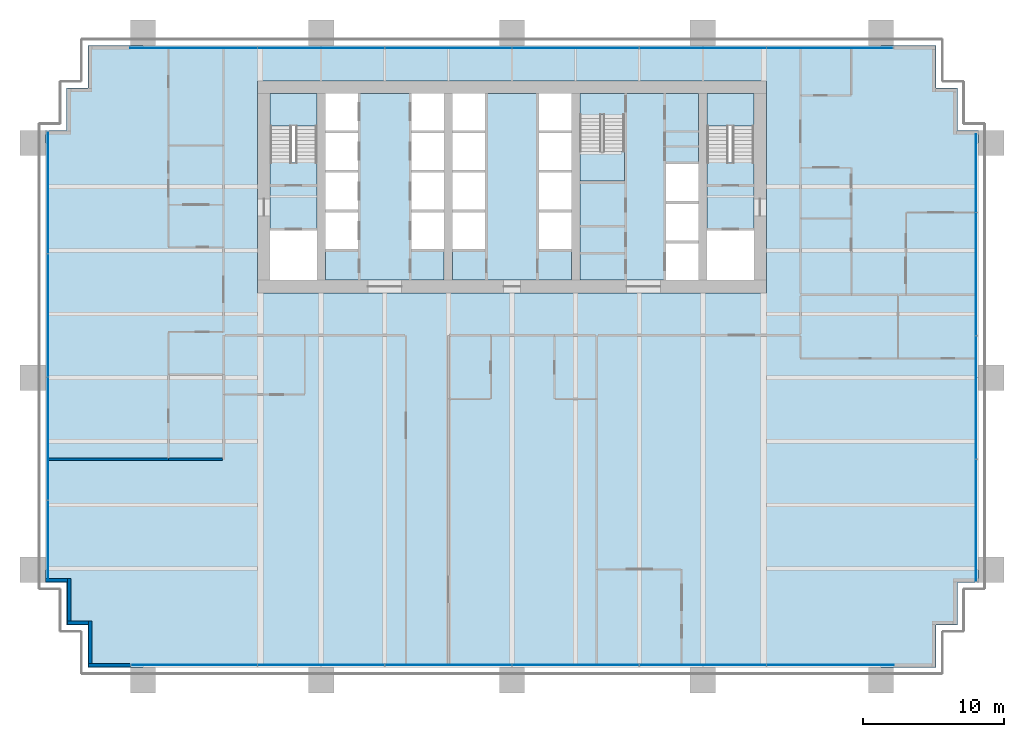
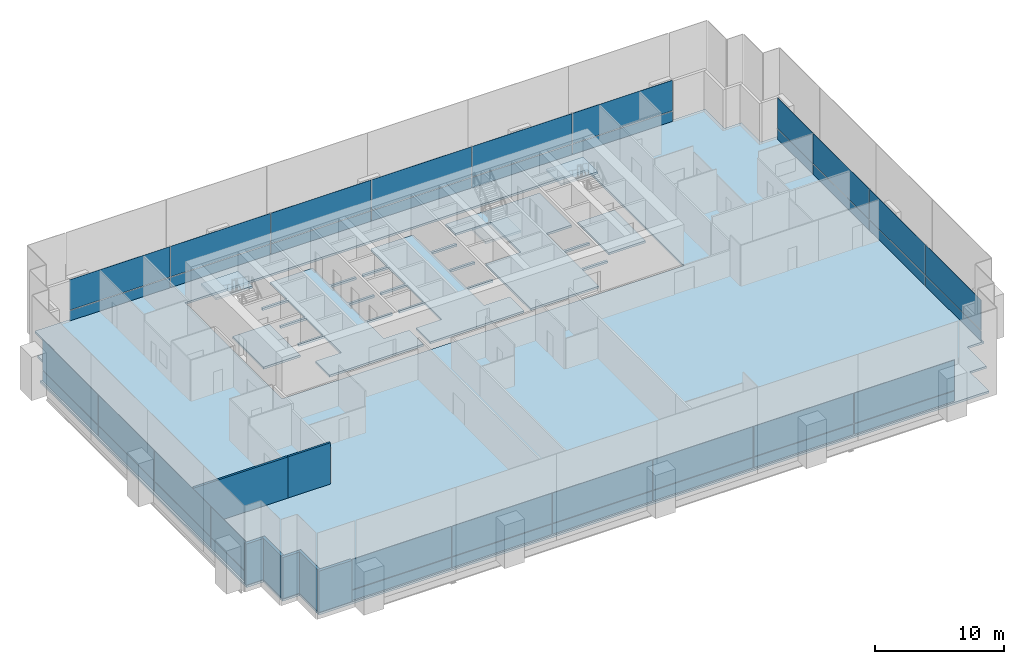
# One storey, part 10 of 17: 40 plates, 9 slabs, 7 walls, 7 elements without a shape of their own.
"""IFC4 building model written with IfcOpenShell, lengths in metres."""

from ifc_helpers import new_model, si_unit, direction, frame, frame_2d, origin, origin_2d, place, context, subcontext, project, spatial, polyline, rectangle, outline, extrude, material, layer, layer_set, type_object, element, aggregate, save


model = new_model("IFC4")

# Units and contexts
model_context = context("Model", 3, precision=1e-05, world=origin(), true_north=direction((0.0, 1.0)))
body_context = subcontext(model_context, "Body", "Model", "MODEL_VIEW")
ifc_project = project(units=[si_unit("LENGTHUNIT", "METRE"), si_unit("AREAUNIT", "SQUARE_METRE"), si_unit("VOLUMEUNIT", "CUBIC_METRE"), si_unit("PLANEANGLEUNIT", "RADIAN"), si_unit("MASSUNIT", "GRAM", prefix="KILO")], contexts=[model_context])

# Site, building, storey
site_placement = place(None, origin())
site = spatial("IfcSite", under=ifc_project, at=site_placement, CompositionType="ELEMENT")
building_placement = place(site_placement, origin())
building = spatial("IfcBuilding", under=site, at=building_placement, Name="Rattan Terrace Tower", CompositionType="ELEMENT")
storey_placement = place(building_placement, frame((0.0, 0.0, 44.699951171875)))
storey = spatial("IfcBuildingStorey", under=building, at=storey_placement, Name="L09", CompositionType="ELEMENT", Elevation=44.699951171875)

# Stair, slab
ifc_material_1 = material(Name="Concrete C40/50", Category="concrete")
stair_type = type_object("IfcStairType", Name="Core exit stair 1500", PredefinedType="HALF_TURN_STAIR", material=ifc_material_1)
stair_1_placement = place(storey_placement, origin())
stair_1 = element("IfcStair", 1, at=stair_1_placement, inside=storey, type_object=stair_type, Name="L09 exit stair 1", PredefinedType="HALF_TURN_STAIR")
ifc_material_2 = material(Name="Concrete C40/50", Category="concrete")
ifc_layer_1 = layer(ifc_material_2, 0.199951171875)
ifc_layer_set_1 = layer_set([ifc_layer_1], Name="Core exit stair landing")
slab_type_1 = type_object("IfcSlabType", Name="Core exit stair landing", PredefinedType="LANDING", material=ifc_layer_set_1)
slab_1_placement = place(storey_placement, frame((0.0, 0.0, 1.85009765625)))
slab_1 = element("IfcSlab", 2, at=slab_1_placement, type_object=slab_type_1, Name="S1 landing 1", PredefinedType="LANDING", context=body_context, shape_type="SweptSolid", body=[
    extrude(outline(polyline([(-13.800048828125, 4.300048828125), (-13.800048828125, 6.60009765625), (-17.10009765625, 6.60009765625), (-17.10009765625, 4.300048828125), (-13.800048828125, 4.300048828125)])), origin(), (0.0, 0.0, 1.0), 0.199951171875),
])
aggregate(stair_1, [slab_1])

stair_2_placement = place(storey_placement, origin())
stair_2 = element("IfcStair", 3, at=stair_2_placement, inside=storey, type_object=stair_type, Name="L09 exit stair 2", PredefinedType="HALF_TURN_STAIR")
slab_2_placement = place(storey_placement, frame((0.0, 0.0, 1.85009765625)))
slab_2 = element("IfcSlab", 4, at=slab_2_placement, type_object=slab_type_1, Name="S2 landing 1", PredefinedType="LANDING", context=body_context, shape_type="SweptSolid", body=[
    extrude(outline(polyline([(17.10009765625, 4.300048828125), (17.10009765625, 6.60009765625), (13.800048828125, 6.60009765625), (13.800048828125, 4.300048828125), (17.10009765625, 4.300048828125)])), origin(), (0.0, 0.0, 1.0), 0.199951171875),
])
aggregate(stair_2, [slab_2])

stair_3_placement = place(storey_placement, origin())
stair_3 = element("IfcStair", 5, at=stair_3_placement, inside=storey, type_object=stair_type, Name="L09 exit stair 3", PredefinedType="HALF_TURN_STAIR")
slab_3_placement = place(storey_placement, frame((0.0, 0.0, 1.85009765625)))
slab_3 = element("IfcSlab", 6, at=slab_3_placement, type_object=slab_type_1, Name="S3 landing 1", PredefinedType="LANDING", context=body_context, shape_type="SweptSolid", body=[
    extrude(outline(polyline([(4.800048828125, 2.5), (4.800048828125, 0.39990234375), (7.949951171875, 0.39990234375), (7.949951171875, 2.5), (4.800048828125, 2.5)])), origin(), (0.0, 0.0, 1.0), 0.199951171875),
])
aggregate(stair_3, [slab_3])

# Curtain wall, plates
ifc_material_3 = material(Name="Aluminium and glass", Category="aluminium")
curtain_wall_type = type_object("IfcCurtainWallType", Name="Facade Unitised Curtain Wall", PredefinedType="NOTDEFINED", material=ifc_material_3)
curtain_wall_1_placement = place(storey_placement, origin())
curtain_wall_1 = element("IfcCurtainWall", 7, at=curtain_wall_1_placement, inside=storey, type_object=curtain_wall_type, Name="Curtain wall L09-1", PredefinedType="NOTDEFINED")
ifc_material_4 = material(Name="Aluminium insulated spandrel panel", Category="aluminium")
ifc_layer_2 = layer(ifc_material_4, 0.028076171875)
ifc_layer_set_2 = layer_set([ifc_layer_2], Name="Facade CW Spandrel Panel")
plate_type_1 = type_object("IfcPlateType", Name="Facade CW Spandrel Panel", PredefinedType="CURTAIN_PANEL", material=ifc_layer_set_2)
plate_1_placement = place(storey_placement, frame((32.830078125, -23.59912109375, 0.0), z_axis=(0.0, 0.0, 1.0), x_axis=(0.0, 1.0, 0.0)))
plate_1 = element("IfcPlate", 8, at=plate_1_placement, type_object=plate_type_1, Name="Panel cwl-L09-001.1.1", PredefinedType="CURTAIN_PANEL", context=body_context, shape_type="SweptSolid", body=[
    extrude(rectangle(XDim=8.592041015625, YDim=0.028076171875, at=origin_2d()), origin(), (0.0, 0.0, 1.0), 0.969970703125),
])
plate_2_placement = place(storey_placement, frame((32.830078125, -14.909423828125, 0.0), z_axis=(0.0, 0.0, 1.0), x_axis=(0.0, 1.0, 0.0)))
plate_2 = element("IfcPlate", 9, at=plate_2_placement, type_object=plate_type_1, Name="Panel cwl-L09-001.2.1", PredefinedType="CURTAIN_PANEL", context=body_context, shape_type="SweptSolid", body=[
    extrude(rectangle(XDim=8.6669921875, YDim=0.028076171875, at=origin_2d()), origin(), (0.0, 0.0, 1.0), 0.969970703125),
])
plate_3_placement = place(storey_placement, frame((32.830078125, -6.1826171875, 0.0), z_axis=(0.0, 0.0, 1.0), x_axis=(0.0, 1.0, 0.0)))
plate_3 = element("IfcPlate", 10, at=plate_3_placement, type_object=plate_type_1, Name="Panel cwl-L09-001.3.1", PredefinedType="CURTAIN_PANEL", context=body_context, shape_type="SweptSolid", body=[
    extrude(rectangle(XDim=8.6669921875, YDim=0.028076171875, at=origin_2d()), origin(), (0.0, 0.0, 1.0), 0.969970703125),
])
plate_4_placement = place(storey_placement, frame((32.830078125, 0.9580078125, 0.0), z_axis=(0.0, 0.0, 1.0), x_axis=(0.0, 1.0, 0.0)))
plate_4 = element("IfcPlate", 11, at=plate_4_placement, type_object=plate_type_1, Name="Panel cwl-L09-001.4.1", PredefinedType="CURTAIN_PANEL", context=body_context, shape_type="SweptSolid", body=[
    extrude(rectangle(XDim=5.493896484375, YDim=0.028076171875, at=origin_2d()), origin(), (0.0, 0.0, 1.0), 0.969970703125),
])

curtain_wall_2_placement = place(storey_placement, origin())
curtain_wall_2 = element("IfcCurtainWall", 12, at=curtain_wall_2_placement, inside=storey, type_object=curtain_wall_type, Name="Curtain wall L09-2", PredefinedType="NOTDEFINED")
plate_5_placement = place(storey_placement, frame((22.485107421875, 9.830078125, 0.0), z_axis=(0.0, 0.0, 1.0), x_axis=(-1.0, 0.0, 0.0)))
plate_5 = element("IfcPlate", 13, at=plate_5_placement, type_object=plate_type_1, Name="Panel cwl-L09-002.1.1", PredefinedType="CURTAIN_PANEL", context=body_context, shape_type="SweptSolid", body=[
    extrude(rectangle(XDim=8.909912109375, YDim=0.028076171875, at=origin_2d()), origin(), (0.0, 0.0, 1.0), 0.969970703125),
])
plate_6_placement = place(storey_placement, frame((13.5, 9.830078125, 0.0), z_axis=(0.0, 0.0, 1.0), x_axis=(-1.0, 0.0, 0.0)))
plate_6 = element("IfcPlate", 14, at=plate_6_placement, type_object=plate_type_1, Name="Panel cwl-L09-002.2.1", PredefinedType="CURTAIN_PANEL", context=body_context, shape_type="SweptSolid", body=[
    extrude(rectangle(XDim=8.93994140625, YDim=0.028076171875, at=origin_2d()), origin(), (0.0, 0.0, 1.0), 0.969970703125),
])
plate_7_placement = place(storey_placement, frame((4.5, 9.830078125, 0.0), z_axis=(0.0, 0.0, 1.0), x_axis=(-1.0, 0.0, 0.0)))
plate_7 = element("IfcPlate", 15, at=plate_7_placement, type_object=plate_type_1, Name="Panel cwl-L09-002.3.1", PredefinedType="CURTAIN_PANEL", context=body_context, shape_type="SweptSolid", body=[
    extrude(rectangle(XDim=8.93994140625, YDim=0.028076171875, at=origin_2d()), origin(), (0.0, 0.0, 1.0), 0.969970703125),
])
plate_8_placement = place(storey_placement, frame((-4.5, 9.830078125, 0.0), z_axis=(0.0, 0.0, 1.0), x_axis=(-1.0, 0.0, 0.0)))
plate_8 = element("IfcPlate", 16, at=plate_8_placement, type_object=plate_type_1, Name="Panel cwl-L09-002.4.1", PredefinedType="CURTAIN_PANEL", context=body_context, shape_type="SweptSolid", body=[
    extrude(rectangle(XDim=8.93994140625, YDim=0.028076171875, at=origin_2d()), origin(), (0.0, 0.0, 1.0), 0.969970703125),
])
plate_9_placement = place(storey_placement, frame((-13.5, 9.830078125, 0.0), z_axis=(0.0, 0.0, 1.0), x_axis=(-1.0, 0.0, 0.0)))
plate_9 = element("IfcPlate", 17, at=plate_9_placement, type_object=plate_type_1, Name="Panel cwl-L09-002.5.1", PredefinedType="CURTAIN_PANEL", context=body_context, shape_type="SweptSolid", body=[
    extrude(rectangle(XDim=8.93994140625, YDim=0.028076171875, at=origin_2d()), origin(), (0.0, 0.0, 1.0), 0.969970703125),
])
plate_10_placement = place(storey_placement, frame((-22.514892578125, 9.830078125, 0.0), z_axis=(0.0, 0.0, 1.0), x_axis=(-1.0, 0.0, 0.0)))
plate_10 = element("IfcPlate", 18, at=plate_10_placement, type_object=plate_type_1, Name="Panel cwl-L09-002.6.1", PredefinedType="CURTAIN_PANEL", context=body_context, shape_type="SweptSolid", body=[
    extrude(rectangle(XDim=8.969970703125, YDim=0.028076171875, at=origin_2d()), origin(), (0.0, 0.0, 1.0), 0.969970703125),
])

curtain_wall_3_placement = place(storey_placement, origin())
curtain_wall_3 = element("IfcCurtainWall", 19, at=curtain_wall_3_placement, inside=storey, type_object=curtain_wall_type, Name="Curtain wall L09-3", PredefinedType="NOTDEFINED")
plate_11_placement = place(storey_placement, frame((-32.830078125, -0.40087890625, 0.0), z_axis=(0.0, 0.0, 1.0), x_axis=(0.0, -1.0, 0.0)))
plate_11 = element("IfcPlate", 20, at=plate_11_placement, type_object=plate_type_1, Name="Panel cwl-L09-003.1.1", PredefinedType="CURTAIN_PANEL", context=body_context, shape_type="SweptSolid", body=[
    extrude(rectangle(XDim=8.592041015625, YDim=0.028076171875, at=origin_2d()), origin(), (0.0, 0.0, 1.0), 0.969970703125),
])
plate_12_placement = place(storey_placement, frame((-32.830078125, -9.090576171875, 0.0), z_axis=(0.0, 0.0, 1.0), x_axis=(0.0, -1.0, 0.0)))
plate_12 = element("IfcPlate", 21, at=plate_12_placement, type_object=plate_type_1, Name="Panel cwl-L09-003.2.1", PredefinedType="CURTAIN_PANEL", context=body_context, shape_type="SweptSolid", body=[
    extrude(rectangle(XDim=8.6669921875, YDim=0.028076171875, at=origin_2d()), origin(), (0.0, 0.0, 1.0), 0.969970703125),
])
plate_13_placement = place(storey_placement, frame((-32.830078125, -17.8173828125, 0.0), z_axis=(0.0, 0.0, 1.0), x_axis=(0.0, -1.0, 0.0)))
plate_13 = element("IfcPlate", 22, at=plate_13_placement, type_object=plate_type_1, Name="Panel cwl-L09-003.3.1", PredefinedType="CURTAIN_PANEL", context=body_context, shape_type="SweptSolid", body=[
    extrude(rectangle(XDim=8.6669921875, YDim=0.028076171875, at=origin_2d()), origin(), (0.0, 0.0, 1.0), 0.969970703125),
])
plate_14_placement = place(storey_placement, frame((-32.830078125, -24.9580078125, 0.0), z_axis=(0.0, 0.0, 1.0), x_axis=(0.0, -1.0, 0.0)))
plate_14 = element("IfcPlate", 23, at=plate_14_placement, type_object=plate_type_1, Name="Panel cwl-L09-003.4.1", PredefinedType="CURTAIN_PANEL", context=body_context, shape_type="SweptSolid", body=[
    extrude(rectangle(XDim=5.493896484375, YDim=0.028076171875, at=origin_2d()), origin(), (0.0, 0.0, 1.0), 0.969970703125),
])

curtain_wall_4_placement = place(storey_placement, origin())
curtain_wall_4 = element("IfcCurtainWall", 24, at=curtain_wall_4_placement, inside=storey, type_object=curtain_wall_type, Name="Curtain wall L09-4", PredefinedType="NOTDEFINED")
plate_15_placement = place(storey_placement, frame((-22.485107421875, -33.830078125, 0.0), z_axis=(0.0, 0.0, 1.0), x_axis=(1.0, 0.0, 0.0)))
plate_15 = element("IfcPlate", 25, at=plate_15_placement, type_object=plate_type_1, Name="Panel cwl-L09-004.1.1", PredefinedType="CURTAIN_PANEL", context=body_context, shape_type="SweptSolid", body=[
    extrude(rectangle(XDim=8.909912109375, YDim=0.028076171875, at=origin_2d()), origin(), (0.0, 0.0, 1.0), 0.969970703125),
])
plate_16_placement = place(storey_placement, frame((-13.5, -33.830078125, 0.0), z_axis=(0.0, 0.0, 1.0), x_axis=(1.0, 0.0, 0.0)))
plate_16 = element("IfcPlate", 26, at=plate_16_placement, type_object=plate_type_1, Name="Panel cwl-L09-004.2.1", PredefinedType="CURTAIN_PANEL", context=body_context, shape_type="SweptSolid", body=[
    extrude(rectangle(XDim=8.93994140625, YDim=0.028076171875, at=origin_2d()), origin(), (0.0, 0.0, 1.0), 0.969970703125),
])
plate_17_placement = place(storey_placement, frame((-4.5, -33.830078125, 0.0), z_axis=(0.0, 0.0, 1.0), x_axis=(1.0, 0.0, 0.0)))
plate_17 = element("IfcPlate", 27, at=plate_17_placement, type_object=plate_type_1, Name="Panel cwl-L09-004.3.1", PredefinedType="CURTAIN_PANEL", context=body_context, shape_type="SweptSolid", body=[
    extrude(rectangle(XDim=8.93994140625, YDim=0.028076171875, at=origin_2d()), origin(), (0.0, 0.0, 1.0), 0.969970703125),
])
plate_18_placement = place(storey_placement, frame((4.5, -33.830078125, 0.0), z_axis=(0.0, 0.0, 1.0), x_axis=(1.0, 0.0, 0.0)))
plate_18 = element("IfcPlate", 28, at=plate_18_placement, type_object=plate_type_1, Name="Panel cwl-L09-004.4.1", PredefinedType="CURTAIN_PANEL", context=body_context, shape_type="SweptSolid", body=[
    extrude(rectangle(XDim=8.93994140625, YDim=0.028076171875, at=origin_2d()), origin(), (0.0, 0.0, 1.0), 0.969970703125),
])
plate_19_placement = place(storey_placement, frame((13.5, -33.830078125, 0.0), z_axis=(0.0, 0.0, 1.0), x_axis=(1.0, 0.0, 0.0)))
plate_19 = element("IfcPlate", 29, at=plate_19_placement, type_object=plate_type_1, Name="Panel cwl-L09-004.5.1", PredefinedType="CURTAIN_PANEL", context=body_context, shape_type="SweptSolid", body=[
    extrude(rectangle(XDim=8.93994140625, YDim=0.028076171875, at=origin_2d()), origin(), (0.0, 0.0, 1.0), 0.969970703125),
])
plate_20_placement = place(storey_placement, frame((22.514892578125, -33.830078125, 0.0), z_axis=(0.0, 0.0, 1.0), x_axis=(1.0, 0.0, 0.0)))
plate_20 = element("IfcPlate", 30, at=plate_20_placement, type_object=plate_type_1, Name="Panel cwl-L09-004.6.1", PredefinedType="CURTAIN_PANEL", context=body_context, shape_type="SweptSolid", body=[
    extrude(rectangle(XDim=8.969970703125, YDim=0.028076171875, at=origin_2d()), origin(), (0.0, 0.0, 1.0), 0.969970703125),
])

# Plate
ifc_material_5 = material(Name="Clear low-iron glass", Category="glass")
ifc_layer_3 = layer(ifc_material_5, 0.028076171875)
ifc_layer_set_3 = layer_set([ifc_layer_3], Name="Facade CW Vision Panel")
plate_type_2 = type_object("IfcPlateType", Name="Facade CW Vision Panel", PredefinedType="CURTAIN_PANEL", material=ifc_layer_set_3)
plate_21_placement = place(storey_placement, frame((32.830078125, -23.59912109375, 1.030029296875), z_axis=(0.0, 0.0, 1.0), x_axis=(0.0, 1.0, 0.0)))
plate_21 = element("IfcPlate", 31, at=plate_21_placement, type_object=plate_type_2, Name="Panel cwl-L09-001.1.2", PredefinedType="CURTAIN_PANEL", context=body_context, shape_type="SweptSolid", body=[
    extrude(rectangle(XDim=8.592041015625, YDim=0.028076171875, at=origin_2d()), origin(), (0.0, 0.0, 1.0), 2.8701171875),
])

plate_22_placement = place(storey_placement, frame((32.830078125, -14.909423828125, 1.030029296875), z_axis=(0.0, 0.0, 1.0), x_axis=(0.0, 1.0, 0.0)))
plate_22 = element("IfcPlate", 32, at=plate_22_placement, type_object=plate_type_2, Name="Panel cwl-L09-001.2.2", PredefinedType="CURTAIN_PANEL", context=body_context, shape_type="SweptSolid", body=[
    extrude(rectangle(XDim=8.6669921875, YDim=0.028076171875, at=origin_2d()), origin(), (0.0, 0.0, 1.0), 2.8701171875),
])

plate_23_placement = place(storey_placement, frame((32.830078125, -6.1826171875, 1.030029296875), z_axis=(0.0, 0.0, 1.0), x_axis=(0.0, 1.0, 0.0)))
plate_23 = element("IfcPlate", 33, at=plate_23_placement, type_object=plate_type_2, Name="Panel cwl-L09-001.3.2", PredefinedType="CURTAIN_PANEL", context=body_context, shape_type="SweptSolid", body=[
    extrude(rectangle(XDim=8.6669921875, YDim=0.028076171875, at=origin_2d()), origin(), (0.0, 0.0, 1.0), 2.8701171875),
])

plate_24_placement = place(storey_placement, frame((32.830078125, 0.9580078125, 1.030029296875), z_axis=(0.0, 0.0, 1.0), x_axis=(0.0, 1.0, 0.0)))
plate_24 = element("IfcPlate", 34, at=plate_24_placement, type_object=plate_type_2, Name="Panel cwl-L09-001.4.2", PredefinedType="CURTAIN_PANEL", context=body_context, shape_type="SweptSolid", body=[
    extrude(rectangle(XDim=5.493896484375, YDim=0.028076171875, at=origin_2d()), origin(), (0.0, 0.0, 1.0), 2.8701171875),
])

aggregate(curtain_wall_1, [plate_1, plate_21, plate_2, plate_22, plate_3, plate_23, plate_4, plate_24])

plate_25_placement = place(storey_placement, frame((22.485107421875, 9.830078125, 1.030029296875), z_axis=(0.0, 0.0, 1.0), x_axis=(-1.0, 0.0, 0.0)))
plate_25 = element("IfcPlate", 35, at=plate_25_placement, type_object=plate_type_2, Name="Panel cwl-L09-002.1.2", PredefinedType="CURTAIN_PANEL", context=body_context, shape_type="SweptSolid", body=[
    extrude(rectangle(XDim=8.909912109375, YDim=0.028076171875, at=origin_2d()), origin(), (0.0, 0.0, 1.0), 2.8701171875),
])

plate_26_placement = place(storey_placement, frame((13.5, 9.830078125, 1.030029296875), z_axis=(0.0, 0.0, 1.0), x_axis=(-1.0, 0.0, 0.0)))
plate_26 = element("IfcPlate", 36, at=plate_26_placement, type_object=plate_type_2, Name="Panel cwl-L09-002.2.2", PredefinedType="CURTAIN_PANEL", context=body_context, shape_type="SweptSolid", body=[
    extrude(rectangle(XDim=8.93994140625, YDim=0.028076171875, at=origin_2d()), origin(), (0.0, 0.0, 1.0), 2.8701171875),
])

plate_27_placement = place(storey_placement, frame((4.5, 9.830078125, 1.030029296875), z_axis=(0.0, 0.0, 1.0), x_axis=(-1.0, 0.0, 0.0)))
plate_27 = element("IfcPlate", 37, at=plate_27_placement, type_object=plate_type_2, Name="Panel cwl-L09-002.3.2", PredefinedType="CURTAIN_PANEL", context=body_context, shape_type="SweptSolid", body=[
    extrude(rectangle(XDim=8.93994140625, YDim=0.028076171875, at=origin_2d()), origin(), (0.0, 0.0, 1.0), 2.8701171875),
])

plate_28_placement = place(storey_placement, frame((-4.5, 9.830078125, 1.030029296875), z_axis=(0.0, 0.0, 1.0), x_axis=(-1.0, 0.0, 0.0)))
plate_28 = element("IfcPlate", 38, at=plate_28_placement, type_object=plate_type_2, Name="Panel cwl-L09-002.4.2", PredefinedType="CURTAIN_PANEL", context=body_context, shape_type="SweptSolid", body=[
    extrude(rectangle(XDim=8.93994140625, YDim=0.028076171875, at=origin_2d()), origin(), (0.0, 0.0, 1.0), 2.8701171875),
])

plate_29_placement = place(storey_placement, frame((-13.5, 9.830078125, 1.030029296875), z_axis=(0.0, 0.0, 1.0), x_axis=(-1.0, 0.0, 0.0)))
plate_29 = element("IfcPlate", 39, at=plate_29_placement, type_object=plate_type_2, Name="Panel cwl-L09-002.5.2", PredefinedType="CURTAIN_PANEL", context=body_context, shape_type="SweptSolid", body=[
    extrude(rectangle(XDim=8.93994140625, YDim=0.028076171875, at=origin_2d()), origin(), (0.0, 0.0, 1.0), 2.8701171875),
])

plate_30_placement = place(storey_placement, frame((-22.514892578125, 9.830078125, 1.030029296875), z_axis=(0.0, 0.0, 1.0), x_axis=(-1.0, 0.0, 0.0)))
plate_30 = element("IfcPlate", 40, at=plate_30_placement, type_object=plate_type_2, Name="Panel cwl-L09-002.6.2", PredefinedType="CURTAIN_PANEL", context=body_context, shape_type="SweptSolid", body=[
    extrude(rectangle(XDim=8.969970703125, YDim=0.028076171875, at=origin_2d()), origin(), (0.0, 0.0, 1.0), 2.8701171875),
])

aggregate(curtain_wall_2, [plate_5, plate_25, plate_6, plate_26, plate_7, plate_27, plate_8, plate_28, plate_9, plate_29, plate_10, plate_30])

plate_31_placement = place(storey_placement, frame((-32.830078125, -0.40087890625, 1.030029296875), z_axis=(0.0, 0.0, 1.0), x_axis=(0.0, -1.0, 0.0)))
plate_31 = element("IfcPlate", 41, at=plate_31_placement, type_object=plate_type_2, Name="Panel cwl-L09-003.1.2", PredefinedType="CURTAIN_PANEL", context=body_context, shape_type="SweptSolid", body=[
    extrude(rectangle(XDim=8.592041015625, YDim=0.028076171875, at=origin_2d()), origin(), (0.0, 0.0, 1.0), 2.8701171875),
])

plate_32_placement = place(storey_placement, frame((-32.830078125, -9.090576171875, 1.030029296875), z_axis=(0.0, 0.0, 1.0), x_axis=(0.0, -1.0, 0.0)))
plate_32 = element("IfcPlate", 42, at=plate_32_placement, type_object=plate_type_2, Name="Panel cwl-L09-003.2.2", PredefinedType="CURTAIN_PANEL", context=body_context, shape_type="SweptSolid", body=[
    extrude(rectangle(XDim=8.6669921875, YDim=0.028076171875, at=origin_2d()), origin(), (0.0, 0.0, 1.0), 2.8701171875),
])

plate_33_placement = place(storey_placement, frame((-32.830078125, -17.8173828125, 1.030029296875), z_axis=(0.0, 0.0, 1.0), x_axis=(0.0, -1.0, 0.0)))
plate_33 = element("IfcPlate", 43, at=plate_33_placement, type_object=plate_type_2, Name="Panel cwl-L09-003.3.2", PredefinedType="CURTAIN_PANEL", context=body_context, shape_type="SweptSolid", body=[
    extrude(rectangle(XDim=8.6669921875, YDim=0.028076171875, at=origin_2d()), origin(), (0.0, 0.0, 1.0), 2.8701171875),
])

plate_34_placement = place(storey_placement, frame((-32.830078125, -24.9580078125, 1.030029296875), z_axis=(0.0, 0.0, 1.0), x_axis=(0.0, -1.0, 0.0)))
plate_34 = element("IfcPlate", 44, at=plate_34_placement, type_object=plate_type_2, Name="Panel cwl-L09-003.4.2", PredefinedType="CURTAIN_PANEL", context=body_context, shape_type="SweptSolid", body=[
    extrude(rectangle(XDim=5.493896484375, YDim=0.028076171875, at=origin_2d()), origin(), (0.0, 0.0, 1.0), 2.8701171875),
])

aggregate(curtain_wall_3, [plate_11, plate_31, plate_12, plate_32, plate_13, plate_33, plate_14, plate_34])

plate_35_placement = place(storey_placement, frame((-22.485107421875, -33.830078125, 1.030029296875), z_axis=(0.0, 0.0, 1.0), x_axis=(1.0, 0.0, 0.0)))
plate_35 = element("IfcPlate", 45, at=plate_35_placement, type_object=plate_type_2, Name="Panel cwl-L09-004.1.2", PredefinedType="CURTAIN_PANEL", context=body_context, shape_type="SweptSolid", body=[
    extrude(rectangle(XDim=8.909912109375, YDim=0.028076171875, at=origin_2d()), origin(), (0.0, 0.0, 1.0), 2.8701171875),
])

plate_36_placement = place(storey_placement, frame((-13.5, -33.830078125, 1.030029296875), z_axis=(0.0, 0.0, 1.0), x_axis=(1.0, 0.0, 0.0)))
plate_36 = element("IfcPlate", 46, at=plate_36_placement, type_object=plate_type_2, Name="Panel cwl-L09-004.2.2", PredefinedType="CURTAIN_PANEL", context=body_context, shape_type="SweptSolid", body=[
    extrude(rectangle(XDim=8.93994140625, YDim=0.028076171875, at=origin_2d()), origin(), (0.0, 0.0, 1.0), 2.8701171875),
])

plate_37_placement = place(storey_placement, frame((-4.5, -33.830078125, 1.030029296875), z_axis=(0.0, 0.0, 1.0), x_axis=(1.0, 0.0, 0.0)))
plate_37 = element("IfcPlate", 47, at=plate_37_placement, type_object=plate_type_2, Name="Panel cwl-L09-004.3.2", PredefinedType="CURTAIN_PANEL", context=body_context, shape_type="SweptSolid", body=[
    extrude(rectangle(XDim=8.93994140625, YDim=0.028076171875, at=origin_2d()), origin(), (0.0, 0.0, 1.0), 2.8701171875),
])

plate_38_placement = place(storey_placement, frame((4.5, -33.830078125, 1.030029296875), z_axis=(0.0, 0.0, 1.0), x_axis=(1.0, 0.0, 0.0)))
plate_38 = element("IfcPlate", 48, at=plate_38_placement, type_object=plate_type_2, Name="Panel cwl-L09-004.4.2", PredefinedType="CURTAIN_PANEL", context=body_context, shape_type="SweptSolid", body=[
    extrude(rectangle(XDim=8.93994140625, YDim=0.028076171875, at=origin_2d()), origin(), (0.0, 0.0, 1.0), 2.8701171875),
])

plate_39_placement = place(storey_placement, frame((13.5, -33.830078125, 1.030029296875), z_axis=(0.0, 0.0, 1.0), x_axis=(1.0, 0.0, 0.0)))
plate_39 = element("IfcPlate", 49, at=plate_39_placement, type_object=plate_type_2, Name="Panel cwl-L09-004.5.2", PredefinedType="CURTAIN_PANEL", context=body_context, shape_type="SweptSolid", body=[
    extrude(rectangle(XDim=8.93994140625, YDim=0.028076171875, at=origin_2d()), origin(), (0.0, 0.0, 1.0), 2.8701171875),
])

plate_40_placement = place(storey_placement, frame((22.514892578125, -33.830078125, 1.030029296875), z_axis=(0.0, 0.0, 1.0), x_axis=(1.0, 0.0, 0.0)))
plate_40 = element("IfcPlate", 50, at=plate_40_placement, type_object=plate_type_2, Name="Panel cwl-L09-004.6.2", PredefinedType="CURTAIN_PANEL", context=body_context, shape_type="SweptSolid", body=[
    extrude(rectangle(XDim=8.969970703125, YDim=0.028076171875, at=origin_2d()), origin(), (0.0, 0.0, 1.0), 2.8701171875),
])

aggregate(curtain_wall_4, [plate_15, plate_35, plate_16, plate_36, plate_17, plate_37, plate_18, plate_38, plate_19, plate_39, plate_20, plate_40])

# Slabs
ifc_material_6 = material(Name="Concrete C35/45", Category="concrete")
ifc_layer_4 = layer(ifc_material_6, 0.199951171875)
ifc_layer_set_4 = layer_set([ifc_layer_4], Name="Frame composite floor slab 200")
slab_type_2 = type_object("IfcSlabType", Name="Frame composite floor slab 200", PredefinedType="FLOOR", material=ifc_layer_set_4)
slab_4_placement = place(storey_placement, frame((0.0, 0.0, -0.199951171875)))
element("IfcSlab", 51, at=slab_4_placement, inside=storey, type_object=slab_type_2, Name="Floor slab", PredefinedType="FLOOR", context=body_context, shape_type="SweptSolid", body=[
    extrude(outline(polyline([(-27.0, -34.0), (27.0, -34.0), (30.0, -34.0), (30.0, -31.0), (31.5, -31.0), (31.5, -28.0), (33.0, -28.0), (33.0, 4.0), (31.5, 4.0), (31.5, 7.0), (30.0, 7.0), (30.0, 10.0), (27.0, 10.0), (-27.0, 10.0), (-30.0, 10.0), (-30.0, 7.0), (-31.5, 7.0), (-31.5, 4.0), (-33.0, 4.0), (-33.0, -28.0), (-31.5, -28.0), (-31.5, -31.0), (-30.0, -31.0), (-30.0, -34.0), (-27.0, -34.0)]), holes=[polyline([(-18.0, -6.60009765625), (-18.0, -7.5), (18.0, -7.5), (18.0, -6.60009765625), (18.0, 6.60009765625), (18.0, 7.5), (-18.0, 7.5), (-18.0, 6.60009765625), (-18.0, -6.60009765625)])]), origin(), (0.0, 0.0, 1.0), 0.199951171875),
])
slab_5_placement = place(storey_placement, frame((0.0, 0.0, -0.199951171875)))
element("IfcSlab", 52, at=slab_5_placement, inside=storey, type_object=slab_type_2, Name="Floor slab", PredefinedType="FLOOR", context=body_context, shape_type="SweptSolid", body=[
    extrude(outline(polyline([(-10.89990234375, 6.60009765625), (-10.89990234375, 4.0), (-13.199951171875, 4.0), (-13.199951171875, 3.800048828125), (-10.89990234375, 3.800048828125), (-10.89990234375, 1.199951171875), (-13.199951171875, 1.199951171875), (-13.199951171875, 1.0), (-10.89990234375, 1.0), (-10.89990234375, -1.60009765625), (-13.199951171875, -1.60009765625), (-13.199951171875, -1.800048828125), (-10.89990234375, -1.800048828125), (-10.89990234375, -4.39990234375), (-13.199951171875, -4.39990234375), (-13.199951171875, -6.60009765625), (-4.800048828125, -6.60009765625), (-4.800048828125, -4.39990234375), (-7.10009765625, -4.39990234375), (-7.10009765625, -1.800048828125), (-4.800048828125, -1.800048828125), (-4.800048828125, -1.60009765625), (-7.10009765625, -1.60009765625), (-7.10009765625, 1.0), (-4.800048828125, 1.0), (-4.800048828125, 1.199951171875), (-7.10009765625, 1.199951171875), (-7.10009765625, 3.800048828125), (-4.800048828125, 3.800048828125), (-4.800048828125, 4.0), (-7.10009765625, 4.0), (-7.10009765625, 6.60009765625), (-10.89990234375, 6.60009765625)])), origin(), (0.0, 0.0, 1.0), 0.199951171875),
])
slab_6_placement = place(storey_placement, frame((0.0, 0.0, -0.199951171875)))
element("IfcSlab", 53, at=slab_6_placement, inside=storey, type_object=slab_type_2, Name="Floor slab", PredefinedType="FLOOR", context=body_context, shape_type="SweptSolid", body=[
    extrude(outline(polyline([(-17.10009765625, -3.10009765625), (-13.800048828125, -3.10009765625), (-13.800048828125, 1.7099609375), (-17.10009765625, 1.7099609375), (-17.10009765625, -3.10009765625)])), origin(), (0.0, 0.0, 1.0), 0.199951171875),
])
slab_7_placement = place(storey_placement, frame((0.0, 0.0, -0.199951171875)))
element("IfcSlab", 54, at=slab_7_placement, inside=storey, type_object=slab_type_2, Name="Floor slab", PredefinedType="FLOOR", context=body_context, shape_type="SweptSolid", body=[
    extrude(outline(polyline([(-4.199951171875, 4.0), (-4.199951171875, 3.800048828125), (-1.89990234375, 3.800048828125), (-1.89990234375, 1.199951171875), (-4.199951171875, 1.199951171875), (-4.199951171875, 1.0), (-1.89990234375, 1.0), (-1.89990234375, -1.60009765625), (-4.199951171875, -1.60009765625), (-4.199951171875, -1.800048828125), (-1.89990234375, -1.800048828125), (-1.89990234375, -4.39990234375), (-4.199951171875, -4.39990234375), (-4.199951171875, -6.60009765625), (4.199951171875, -6.60009765625), (4.199951171875, -4.39990234375), (1.89990234375, -4.39990234375), (1.89990234375, -1.800048828125), (4.199951171875, -1.800048828125), (4.199951171875, -1.60009765625), (1.89990234375, -1.60009765625), (1.89990234375, 1.0), (4.199951171875, 1.0), (4.199951171875, 1.199951171875), (1.89990234375, 1.199951171875), (1.89990234375, 3.800048828125), (4.199951171875, 3.800048828125), (4.199951171875, 4.0), (1.89990234375, 4.0), (1.89990234375, 6.60009765625), (-1.89990234375, 6.60009765625), (-1.89990234375, 4.0), (-4.199951171875, 4.0)])), origin(), (0.0, 0.0, 1.0), 0.199951171875),
])
slab_8_placement = place(storey_placement, frame((0.0, 0.0, -0.199951171875)))
element("IfcSlab", 55, at=slab_8_placement, inside=storey, type_object=slab_type_2, Name="Floor slab", PredefinedType="FLOOR", context=body_context, shape_type="SweptSolid", body=[
    extrude(outline(polyline([(4.800048828125, 5.090087890625), (7.949951171875, 5.090087890625), (7.949951171875, 0.39990234375), (4.800048828125, 0.39990234375), (4.800048828125, -6.60009765625), (10.89990234375, -6.60009765625), (10.89990234375, -4.0), (13.199951171875, -4.0), (13.199951171875, -3.800048828125), (10.89990234375, -3.800048828125), (10.89990234375, -1.199951171875), (13.199951171875, -1.199951171875), (13.199951171875, -1.0), (10.89990234375, -1.0), (10.89990234375, 1.60009765625), (13.199951171875, 1.60009765625), (13.199951171875, 6.60009765625), (4.800048828125, 6.60009765625), (4.800048828125, 5.090087890625)])), origin(), (0.0, 0.0, 1.0), 0.199951171875),
])
slab_9_placement = place(storey_placement, frame((0.0, 0.0, -0.199951171875)))
element("IfcSlab", 56, at=slab_9_placement, inside=storey, type_object=slab_type_2, Name="Floor slab", PredefinedType="FLOOR", context=body_context, shape_type="SweptSolid", body=[
    extrude(outline(polyline([(13.800048828125, -3.10009765625), (17.10009765625, -3.10009765625), (17.10009765625, 1.7099609375), (13.800048828125, 1.7099609375), (13.800048828125, -3.10009765625)])), origin(), (0.0, 0.0, 1.0), 0.199951171875),
])

# Walls
ifc_material_7 = material(Name="Insulated aluminium-clad stud wall", Category="aluminium")
ifc_layer_5 = layer(ifc_material_7, 0.25)
ifc_layer_set_5 = layer_set([ifc_layer_5], Name="Facade Riser Wall 250")
wall_type_1 = type_object("IfcWallType", Name="Facade Riser Wall 250", PredefinedType="SOLIDWALL", material=ifc_layer_set_5)
wall_1_placement = place(storey_placement, frame((-33.0048828125, -27.830078125, 0.0), z_axis=(0.0, 0.0, 1.0), x_axis=(1.0, 0.0, 0.0)))
element("IfcWall", 57, at=wall_1_placement, inside=storey, type_object=wall_type_1, Name="Riser wall L09-16", PredefinedType="SOLIDWALL", context=body_context, shape_type="SweptSolid", body=[
    extrude(rectangle(XDim=1.5498046875, YDim=0.25, at=frame_2d((0.77490234375, 0.0))), origin(), (0.0, 0.0, 1.0), 3.900146484375),
])
wall_2_placement = place(storey_placement, frame((-31.330078125, -27.705078125, 0.0), z_axis=(0.0, 0.0, 1.0), x_axis=(0.0, -1.0, 0.0)))
element("IfcWall", 58, at=wall_2_placement, inside=storey, type_object=wall_type_1, Name="Riser wall L09-17", PredefinedType="SOLIDWALL", context=body_context, shape_type="SweptSolid", body=[
    extrude(rectangle(XDim=3.0, YDim=0.25, at=frame_2d((1.5, 0.0))), origin(), (0.0, 0.0, 1.0), 3.900146484375),
])
wall_3_placement = place(storey_placement, frame((-31.455078125, -30.830078125, 0.0), z_axis=(0.0, 0.0, 1.0), x_axis=(1.0, 0.0, 0.0)))
element("IfcWall", 59, at=wall_3_placement, inside=storey, type_object=wall_type_1, Name="Riser wall L09-18", PredefinedType="SOLIDWALL", context=body_context, shape_type="SweptSolid", body=[
    extrude(rectangle(XDim=1.5, YDim=0.25, at=frame_2d((0.75, 0.0))), origin(), (0.0, 0.0, 1.0), 3.900146484375),
])
wall_4_placement = place(storey_placement, frame((-29.830078125, -30.705078125, 0.0), z_axis=(0.0, 0.0, 1.0), x_axis=(0.0, -1.0, 0.0)))
element("IfcWall", 60, at=wall_4_placement, inside=storey, type_object=wall_type_1, Name="Riser wall L09-19", PredefinedType="SOLIDWALL", context=body_context, shape_type="SweptSolid", body=[
    extrude(rectangle(XDim=3.0, YDim=0.25, at=frame_2d((1.5, 0.0))), origin(), (0.0, 0.0, 1.0), 3.900146484375),
])
wall_5_placement = place(storey_placement, frame((-29.955078125, -33.830078125, 0.0), z_axis=(0.0, 0.0, 1.0), x_axis=(1.0, 0.0, 0.0)))
element("IfcWall", 61, at=wall_5_placement, inside=storey, type_object=wall_type_1, Name="Riser wall L09-20", PredefinedType="SOLIDWALL", context=body_context, shape_type="SweptSolid", body=[
    extrude(rectangle(XDim=2.955078125, YDim=0.25, at=frame_2d((1.4775390625, 0.0))), origin(), (0.0, 0.0, 1.0), 3.900146484375),
])
ifc_material_8 = material(Name="Double steel stud acoustic partition, gypsum board, mineral wool, fire rated", Category="steel")
ifc_layer_6 = layer(ifc_material_8, 0.179931640625)
ifc_layer_set_6 = layer_set([ifc_layer_6], Name="Floors Acoustic Party Wall 180")
wall_type_2 = type_object("IfcWallType", Name="Floors Acoustic Party Wall 180", PredefinedType="PARTITIONING", material=ifc_layer_set_6)
wall_6_placement = place(storey_placement, frame((-24.300048828125, -19.27294921875, 0.0), z_axis=(0.0, 0.0, 1.0), x_axis=(-1.0, 0.0, 0.0)))
element("IfcWall", 62, at=wall_6_placement, inside=storey, type_object=wall_type_2, Name="pt-L09-026", PredefinedType="PARTITIONING", context=body_context, shape_type="SweptSolid", body=[
    extrude(rectangle(XDim=8.43994140625, YDim=0.179931640625, at=frame_2d((4.219970703125, 0.0))), origin(), (0.0, 0.0, 1.0), 3.900146484375),
])
wall_7_placement = place(storey_placement, frame((-20.489990234375, -19.27392578125, 0.0), z_axis=(0.0, 0.0, 1.0), x_axis=(-1.0, 0.0, 0.0)))
element("IfcWall", 63, at=wall_7_placement, inside=storey, type_object=wall_type_2, Name="pt-L09-028", PredefinedType="PARTITIONING", context=body_context, shape_type="SweptSolid", body=[
    extrude(rectangle(XDim=3.81005859375, YDim=0.179931640625, at=frame_2d((1.905029296875, 0.0))), origin(), (0.0, 0.0, 1.0), 3.900146484375),
])

save(model, "model.ifc")
